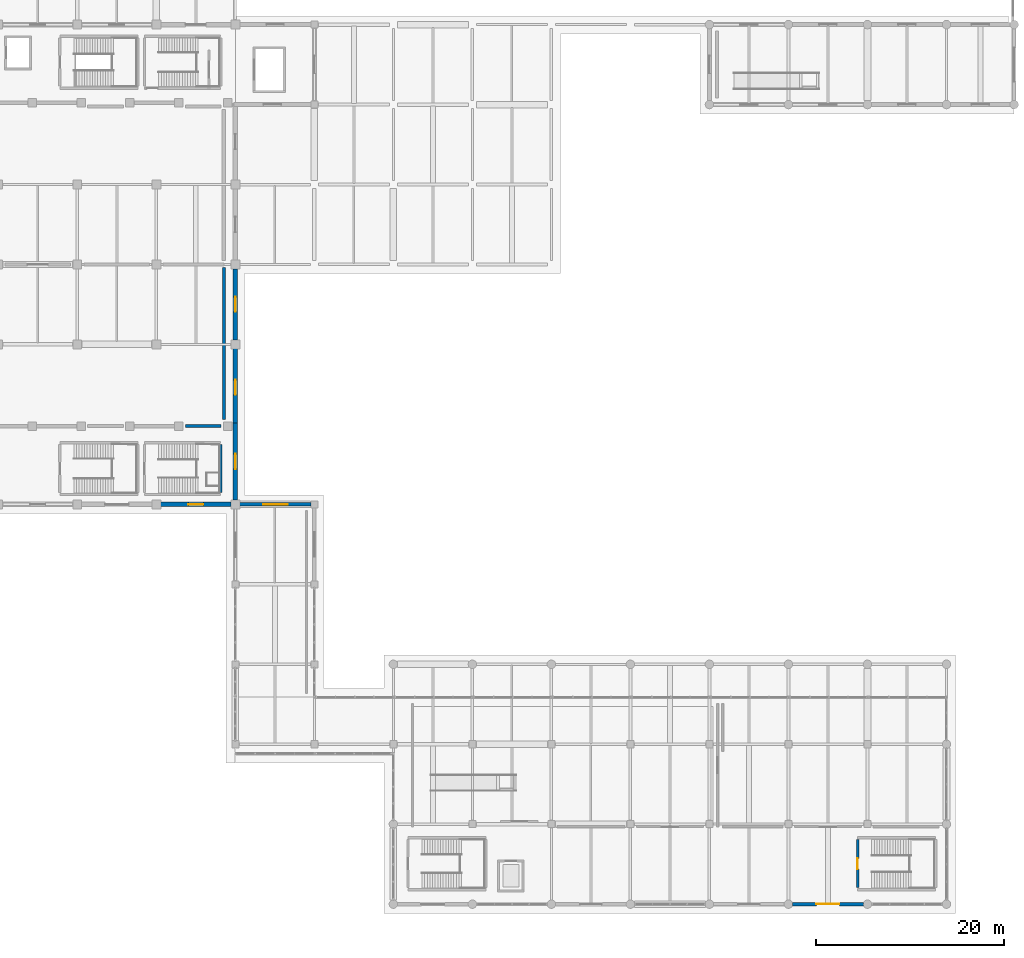
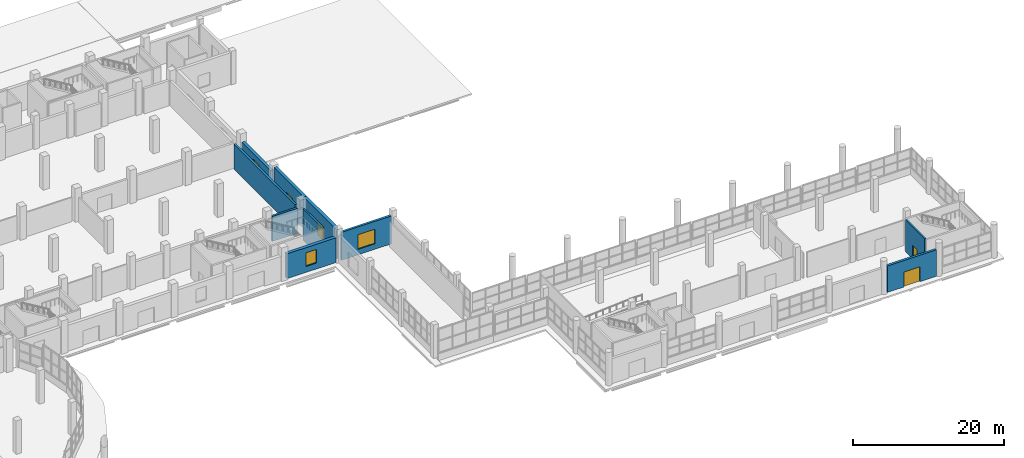
# One storey, part 92 of 107: 10 walls, 5 windows, 2 doors, 7 openings.
"""IFC4 building model written with IfcOpenShell, lengths in metres."""

from ifc_helpers import new_model, si_unit, direction, frame, frame_2d, origin, place, context, subcontext, project, spatial, rectangle, extrude, material, layer, layer_set, type_object, element, fill, save


model = new_model("IFC4")

# Units and contexts
model_context = context("Model", 3, precision=1e-05, world=origin(), true_north=direction((0.0, 1.0)))
body_context = subcontext(model_context, "Body", "Model", "MODEL_VIEW")
ifc_project = project(units=[si_unit("LENGTHUNIT", "METRE"), si_unit("AREAUNIT", "SQUARE_METRE"), si_unit("VOLUMEUNIT", "CUBIC_METRE"), si_unit("PLANEANGLEUNIT", "RADIAN"), si_unit("MASSUNIT", "GRAM", prefix="KILO")], contexts=[model_context])

# Site, building, storey
site_placement = place(None, origin())
site = spatial("IfcSite", under=ifc_project, at=site_placement, CompositionType="ELEMENT")
building_placement = place(site_placement, origin())
building = spatial("IfcBuilding", under=site, at=building_placement, Name="Solvento Point Concert Hall", CompositionType="ELEMENT")
storey_placement = place(building_placement, origin())
storey = spatial("IfcBuildingStorey", under=building, at=storey_placement, Name="L00", CompositionType="ELEMENT", Elevation=0.0)

# Walls
ifc_material_1 = material(Name="Acoustic Double-Stud Gypsum Partition")
ifc_layer_1 = layer(ifc_material_1, 0.31494140625)
ifc_layer_set_1 = layer_set([ifc_layer_1], Name="Acoustic Double-Stud Gypsum Partition")
wall_type_1 = type_object("IfcWallType", Name="AcousticPartition_315", PredefinedType="PARTITIONING", material=ifc_layer_set_1)
wall_1_placement = place(storey_placement, frame((131.699951171875, 50.820068359375, 0.0), z_axis=(0.0, 0.0, 1.0), x_axis=(-1.0, 0.0, 0.0)))
element("IfcWall", 1, at=wall_1_placement, inside=storey, type_object=wall_type_1, Name="Interior acoustic partition PW-18 L00", PredefinedType="PARTITIONING", context=body_context, shape_type="SweptSolid", body=[
    extrude(rectangle(XDim=3.800048828125, YDim=0.31494140625, at=frame_2d((1.89990234375, 0.0))), origin(), (0.0, 0.0, 1.0), 4.0400390625),
])
wall_2_placement = place(storey_placement, frame((131.97998046875, 67.659912109375, 0.0), z_axis=(0.0, 0.0, 1.0), x_axis=(0.0, -1.0, 0.0)))
element("IfcWall", 2, at=wall_2_placement, inside=storey, type_object=wall_type_1, Name="Interior acoustic partition PW-18 L00", PredefinedType="PARTITIONING", context=body_context, shape_type="SweptSolid", body=[
    extrude(rectangle(XDim=16.159912109375, YDim=0.31494140625, at=frame_2d((8.080078125, 0.0))), origin(), (0.0, 0.0, 1.0), 4.0400390625),
])

# Wall, opening, door
ifc_material_2 = material(Name="Concrete C40/50", Category="concrete")
ifc_layer_2 = layer(ifc_material_2, 0.300048828125)
ifc_layer_set_2 = layer_set([ifc_layer_2], Name="Concrete C40/50")
wall_type_2 = type_object("IfcWallType", Name="CoreShearWall_300", PredefinedType="SHEAR", material=ifc_layer_set_2)
wall_3_placement = place(storey_placement, frame((199.35009765625, 1.75, 0.0), z_axis=(0.0, 0.0, 1.0), x_axis=(0.0, 1.0, 0.0)))
wall_3 = element("IfcWall", 3, at=wall_3_placement, inside=storey, type_object=wall_type_2, Name="Stair core shear wall W-SH1 ST-09 L00", PredefinedType="SHEAR", context=body_context, shape_type="SweptSolid", body=[
    extrude(rectangle(XDim=5.10009765625, YDim=0.25, at=frame_2d((2.550048828125, 0.0))), origin(), (0.0, 0.0, 1.0), 5.1201171875),
])
opening_1_placement = place(wall_3_placement, frame((1.97509765625, 0.0, 0.0)))
opening_1 = element("IfcOpeningElement", 4, at=opening_1_placement, cuts=wall_3, Name="Opening D-ST1", PredefinedType="OPENING", context=body_context, shape_type="SweptSolid", body=[
    extrude(rectangle(XDim=1.14990234375, YDim=2.179931640625, at=frame_2d((0.574951171875, 1.08984375))), frame((0.0, 0.135009765625, 0.0), z_axis=(0.0, -1.0, 0.0), x_axis=(1.0, 0.0, 0.0)), (0.0, 0.0, 1.0), 0.27001953125),
])
ifc_material_3 = material(Name="Hollow Metal Acoustic Fire Door")
door_type_1 = type_object("IfcDoorType", Name="StairFireDoor_1150", OperationType="NOTDEFINED", PredefinedType="DOOR", material=ifc_material_3)
door_1_placement = place(opening_1_placement, origin())
door_1 = element("IfcDoor", 5, at=door_1_placement, inside=storey, type_object=door_type_1, Name="Protected exit stair door ST-09 L00", OperationType="SINGLE_SWING_LEFT", OverallHeight=2.179931640625, OverallWidth=1.14990234375, PredefinedType="DOOR", context=body_context, shape_type="SweptSolid", body=[
    extrude(rectangle(XDim=1.14990234375, YDim=2.179931640625, at=frame_2d((0.574951171875, 1.08984375))), frame((0.0, 0.02490234375, 0.0), z_axis=(0.0, -1.0, 0.0), x_axis=(1.0, 0.0, 0.0)), (0.0, 0.0, 1.0), 0.050048828125),
])
fill(opening_1, door_1)

# Wall
wall_4_placement = place(storey_placement, frame((131.64990234375, 48.85009765625, 0.0), z_axis=(0.0, 0.0, 1.0), x_axis=(0.0, -1.0, 0.0)))
element("IfcWall", 6, at=wall_4_placement, inside=storey, type_object=wall_type_2, Name="Stair core shear wall W-SH1 VOM-02 L00", PredefinedType="SHEAR", context=body_context, shape_type="SweptSolid", body=[
    extrude(rectangle(XDim=5.10009765625, YDim=0.25, at=frame_2d((2.550048828125, 0.0))), origin(), (0.0, 0.0, 1.0), 5.1201171875),
])

# Wall, opening, window
ifc_material_4 = material(Name="Concrete C40/50", Category="concrete")
ifc_layer_3 = layer(ifc_material_4, 0.47998046875)
ifc_layer_set_3 = layer_set([ifc_layer_3], Name="Concrete C40/50")
wall_type_3 = type_object("IfcWallType", Name="ExtWall_V1_Drum_480", PredefinedType="SOLIDWALL", material=ifc_layer_set_3)
wall_5_placement = place(storey_placement, frame((133.199951171875, 51.159912109375, 0.0), z_axis=(0.0, 0.0, 1.0), x_axis=(0.0, -1.0, 0.0)))
wall_5 = element("IfcWall", 7, at=wall_5_placement, inside=storey, type_object=wall_type_3, Name="Exterior architectural concrete wall EW-46 L00", PredefinedType="SOLIDWALL", context=body_context, shape_type="SweptSolid", body=[
    extrude(rectangle(XDim=8.204833984375, YDim=0.47998046875, at=frame_2d((4.1025390625, 0.0))), origin(), (0.0, 0.0, 1.0), 5.1201171875),
])
opening_2_placement = place(wall_5_placement, frame((3.302490234375, 0.0, 0.949951171875)))
opening_2 = element("IfcOpeningElement", 8, at=opening_2_placement, cuts=wall_5, Name="Opening WN-44", PredefinedType="OPENING", context=body_context, shape_type="SweptSolid", body=[
    extrude(rectangle(XDim=1.60009765625, YDim=2.199951171875, at=frame_2d((0.800048828125, 1.10009765625))), frame((0.0, 0.25, 0.0), z_axis=(0.0, -1.0, 0.0), x_axis=(1.0, 0.0, 0.0)), (0.0, 0.0, 1.0), 0.5),
])
ifc_material_5 = material(Name="Hurricane Laminated Low-E Glass", Category="glass")
window_type_1 = type_object("IfcWindowType", Name="Win_V1_GroundGallery", PartitioningType="SINGLE_PANEL", PredefinedType="WINDOW", material=ifc_material_5)
window_1_placement = place(opening_2_placement, origin())
window_1 = element("IfcWindow", 9, at=window_1_placement, inside=storey, type_object=window_type_1, Name="Impact acoustic window WN-44", OverallHeight=2.199951171875, OverallWidth=1.60009765625, PartitioningType="SINGLE_PANEL", PredefinedType="WINDOW", context=body_context, shape_type="SweptSolid", body=[
    extrude(rectangle(XDim=1.60009765625, YDim=2.199951171875, at=frame_2d((0.800048828125, 1.10009765625))), frame((0.0, 0.030029296875, 0.0), z_axis=(0.0, -1.0, 0.0), x_axis=(1.0, 0.0, 0.0)), (0.0, 0.0, 1.0), 0.06005859375),
])
fill(opening_2, window_1)

wall_6_placement = place(storey_placement, frame((133.199951171875, 59.044921875, 0.0), z_axis=(0.0, 0.0, 1.0), x_axis=(0.0, -1.0, 0.0)))
wall_6 = element("IfcWall", 10, at=wall_6_placement, inside=storey, type_object=wall_type_3, Name="Exterior architectural concrete wall EW-46 L00", PredefinedType="SOLIDWALL", context=body_context, shape_type="SweptSolid", body=[
    extrude(rectangle(XDim=8.204833984375, YDim=0.47998046875, at=frame_2d((4.1025390625, 0.0))), origin(), (0.0, 0.0, 1.0), 5.1201171875),
])
opening_3_placement = place(wall_6_placement, frame((3.302490234375, 0.0, 0.949951171875)))
opening_3 = element("IfcOpeningElement", 11, at=opening_3_placement, cuts=wall_6, Name="Opening WN-44", PredefinedType="OPENING", context=body_context, shape_type="SweptSolid", body=[
    extrude(rectangle(XDim=1.60009765625, YDim=2.199951171875, at=frame_2d((0.800048828125, 1.10009765625))), frame((0.0, 0.25, 0.0), z_axis=(0.0, -1.0, 0.0), x_axis=(1.0, 0.0, 0.0)), (0.0, 0.0, 1.0), 0.5),
])
window_2_placement = place(opening_3_placement, origin())
window_2 = element("IfcWindow", 12, at=window_2_placement, inside=storey, type_object=window_type_1, Name="Impact acoustic window WN-44", OverallHeight=2.199951171875, OverallWidth=1.60009765625, PartitioningType="SINGLE_PANEL", PredefinedType="WINDOW", context=body_context, shape_type="SweptSolid", body=[
    extrude(rectangle(XDim=1.60009765625, YDim=2.199951171875, at=frame_2d((0.800048828125, 1.10009765625))), frame((0.0, 0.030029296875, 0.0), z_axis=(0.0, -1.0, 0.0), x_axis=(1.0, 0.0, 0.0)), (0.0, 0.0, 1.0), 0.06005859375),
])
fill(opening_3, window_2)

wall_7_placement = place(storey_placement, frame((133.199951171875, 67.544921875, 0.0), z_axis=(0.0, 0.0, 1.0), x_axis=(0.0, -1.0, 0.0)))
wall_7 = element("IfcWall", 13, at=wall_7_placement, inside=storey, type_object=wall_type_3, Name="Exterior architectural concrete wall EW-46 L00", PredefinedType="SOLIDWALL", context=body_context, shape_type="SweptSolid", body=[
    extrude(rectangle(XDim=7.58984375, YDim=0.47998046875, at=frame_2d((3.794921875, 0.0))), origin(), (0.0, 0.0, 1.0), 4.037109375),
])
opening_4_placement = place(wall_7_placement, frame((2.9951171875, 0.0, 0.949951171875)))
opening_4 = element("IfcOpeningElement", 14, at=opening_4_placement, cuts=wall_7, Name="Opening WN-44", PredefinedType="OPENING", context=body_context, shape_type="SweptSolid", body=[
    extrude(rectangle(XDim=1.60009765625, YDim=2.199951171875, at=frame_2d((0.800048828125, 1.10009765625))), frame((0.0, 0.25, 0.0), z_axis=(0.0, -1.0, 0.0), x_axis=(1.0, 0.0, 0.0)), (0.0, 0.0, 1.0), 0.5),
])
window_3_placement = place(opening_4_placement, origin())
window_3 = element("IfcWindow", 15, at=window_3_placement, inside=storey, type_object=window_type_1, Name="Impact acoustic window WN-44", OverallHeight=2.199951171875, OverallWidth=1.60009765625, PartitioningType="SINGLE_PANEL", PredefinedType="WINDOW", context=body_context, shape_type="SweptSolid", body=[
    extrude(rectangle(XDim=1.60009765625, YDim=2.199951171875, at=frame_2d((0.800048828125, 1.10009765625))), frame((0.0, 0.030029296875, 0.0), z_axis=(0.0, -1.0, 0.0), x_axis=(1.0, 0.0, 0.0)), (0.0, 0.0, 1.0), 0.06005859375),
])
fill(opening_4, window_3)

wall_8_placement = place(storey_placement, frame((132.7451171875, 42.5, 0.0), z_axis=(0.0, 0.0, 1.0), x_axis=(-1.0, 0.0, 0.0)))
wall_8 = element("IfcWall", 16, at=wall_8_placement, inside=storey, type_object=wall_type_3, Name="Exterior architectural concrete wall EW-46 L00", PredefinedType="SOLIDWALL", context=body_context, shape_type="SweptSolid", body=[
    extrude(rectangle(XDim=7.490234375, YDim=0.47998046875, at=frame_2d((3.7451171875, 0.0))), origin(), (0.0, 0.0, 1.0), 4.00390625),
])
opening_5_placement = place(wall_8_placement, frame((2.945068359375, 0.0, 0.949951171875)))
opening_5 = element("IfcOpeningElement", 17, at=opening_5_placement, cuts=wall_8, Name="Opening WN-44", PredefinedType="OPENING", context=body_context, shape_type="SweptSolid", body=[
    extrude(rectangle(XDim=1.60009765625, YDim=2.199951171875, at=frame_2d((0.800048828125, 1.10009765625))), frame((0.0, 0.25, 0.0), z_axis=(0.0, -1.0, 0.0), x_axis=(1.0, 0.0, 0.0)), (0.0, 0.0, 1.0), 0.5),
])
window_4_placement = place(opening_5_placement, origin())
window_4 = element("IfcWindow", 18, at=window_4_placement, inside=storey, type_object=window_type_1, Name="Impact acoustic window WN-44", OverallHeight=2.199951171875, OverallWidth=1.60009765625, PartitioningType="SINGLE_PANEL", PredefinedType="WINDOW", context=body_context, shape_type="SweptSolid", body=[
    extrude(rectangle(XDim=1.60009765625, YDim=2.199951171875, at=frame_2d((0.800048828125, 1.10009765625))), frame((0.0, 0.030029296875, 0.0), z_axis=(0.0, -1.0, 0.0), x_axis=(1.0, 0.0, 0.0)), (0.0, 0.0, 1.0), 0.06005859375),
])
fill(opening_5, window_4)

ifc_material_6 = material(Name="Concrete C40/50", Category="concrete")
ifc_layer_4 = layer(ifc_material_6, 0.35009765625)
ifc_layer_set_4 = layer_set([ifc_layer_4], Name="Concrete C40/50")
wall_type_4 = type_object("IfcWallType", Name="ExtWall_V3_Chamber_350", PredefinedType="SOLIDWALL", material=ifc_layer_set_4)
wall_9_placement = place(storey_placement, frame((133.655029296875, 42.5, 0.0), z_axis=(0.0, 0.0, 1.0), x_axis=(1.0, 0.0, 0.0)))
wall_9 = element("IfcWall", 19, at=wall_9_placement, inside=storey, type_object=wall_type_4, Name="Exterior architectural concrete wall EW-73 L00", PredefinedType="SOLIDWALL", context=body_context, shape_type="SweptSolid", body=[
    extrude(rectangle(XDim=7.590087890625, YDim=0.35009765625, at=frame_2d((3.794921875, 0.0))), origin(), (0.0, 0.0, 1.0), 4.51611328125),
])
opening_6_placement = place(wall_9_placement, frame((2.4951171875, 0.0, 0.89990234375)))
opening_6 = element("IfcOpeningElement", 20, at=opening_6_placement, cuts=wall_9, Name="Opening WN-86", PredefinedType="OPENING", context=body_context, shape_type="SweptSolid", body=[
    extrude(rectangle(XDim=2.60009765625, YDim=2.35009765625, at=frame_2d((1.300048828125, 1.175048828125))), frame((0.0, 0.18505859375, 0.0), z_axis=(0.0, -1.0, 0.0), x_axis=(1.0, 0.0, 0.0)), (0.0, 0.0, 1.0), 0.3701171875),
])
ifc_material_7 = material(Name="Hurricane Laminated Low-E Glass", Category="glass")
window_type_2 = type_object("IfcWindowType", Name="Win_V3_CafeStorefront", PartitioningType="SINGLE_PANEL", PredefinedType="WINDOW", material=ifc_material_7)
window_5_placement = place(opening_6_placement, origin())
window_5 = element("IfcWindow", 21, at=window_5_placement, inside=storey, type_object=window_type_2, Name="Impact acoustic window WN-86", OverallHeight=2.35009765625, OverallWidth=2.60009765625, PartitioningType="SINGLE_PANEL", PredefinedType="WINDOW", context=body_context, shape_type="SweptSolid", body=[
    extrude(rectangle(XDim=2.60009765625, YDim=2.35009765625, at=frame_2d((1.300048828125, 1.175048828125))), frame((0.0, 0.030029296875, 0.0), z_axis=(0.0, -1.0, 0.0), x_axis=(1.0, 0.0, 0.0)), (0.0, 0.0, 1.0), 0.06005859375),
])
fill(opening_6, window_5)

# Wall, opening, door
wall_10_placement = place(storey_placement, frame((199.969970703125, 0.0, 0.0), z_axis=(0.0, 0.0, 1.0), x_axis=(-1.0, 0.0, 0.0)))
wall_10 = element("IfcWall", 22, at=wall_10_placement, inside=storey, type_object=wall_type_4, Name="Exterior architectural concrete wall EW-73 L00", PredefinedType="SOLIDWALL", context=body_context, shape_type="SweptSolid", body=[
    extrude(rectangle(XDim=7.5400390625, YDim=0.35009765625, at=frame_2d((3.77001953125, 0.0))), origin(), (0.0, 0.0, 1.0), 4.27099609375),
])
opening_7_placement = place(wall_10_placement, frame((2.544921875, 0.0, 0.0)))
opening_7 = element("IfcOpeningElement", 23, at=opening_7_placement, cuts=wall_10, Name="Opening ED-06", PredefinedType="OPENING", context=body_context, shape_type="SweptSolid", body=[
    extrude(rectangle(XDim=2.449951171875, YDim=2.419921875, at=frame_2d((1.22509765625, 1.2099609375))), frame((0.0, 0.18505859375, 0.0), z_axis=(0.0, -1.0, 0.0), x_axis=(1.0, 0.0, 0.0)), (0.0, 0.0, 1.0), 0.3701171875),
])
ifc_material_8 = material(Name="Anodized Bronze Aluminium", Category="aluminium")
door_type_2 = type_object("IfcDoorType", Name="PedestrianExitDoor_ED-06", OperationType="DOUBLE_DOOR_SINGLE_SWING", PredefinedType="DOOR", material=ifc_material_8)
door_2_placement = place(opening_7_placement, origin())
door_2 = element("IfcDoor", 24, at=door_2_placement, inside=storey, type_object=door_type_2, Name="Perimeter stair passageway final exit discharge double door ED-06", OperationType="DOUBLE_DOOR_SINGLE_SWING", OverallHeight=2.419921875, OverallWidth=2.449951171875, PredefinedType="DOOR", context=body_context, shape_type="SweptSolid", body=[
    extrude(rectangle(XDim=2.449951171875, YDim=2.419921875, at=frame_2d((1.22509765625, 1.2099609375))), frame((0.0, 0.02490234375, 0.0), z_axis=(0.0, -1.0, 0.0), x_axis=(1.0, 0.0, 0.0)), (0.0, 0.0, 1.0), 0.050048828125),
])
fill(opening_7, door_2)

save(model, "model.ifc")
